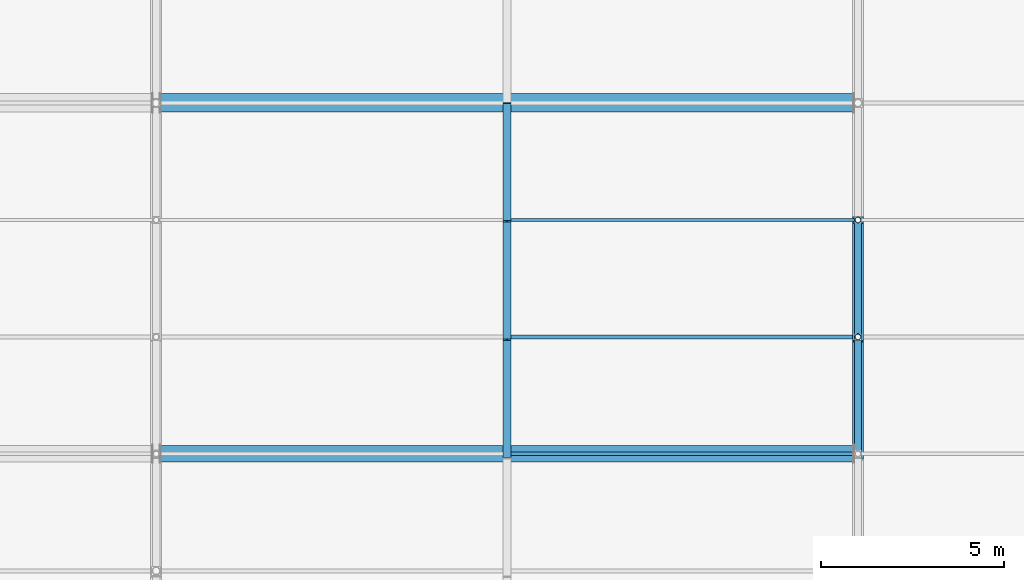
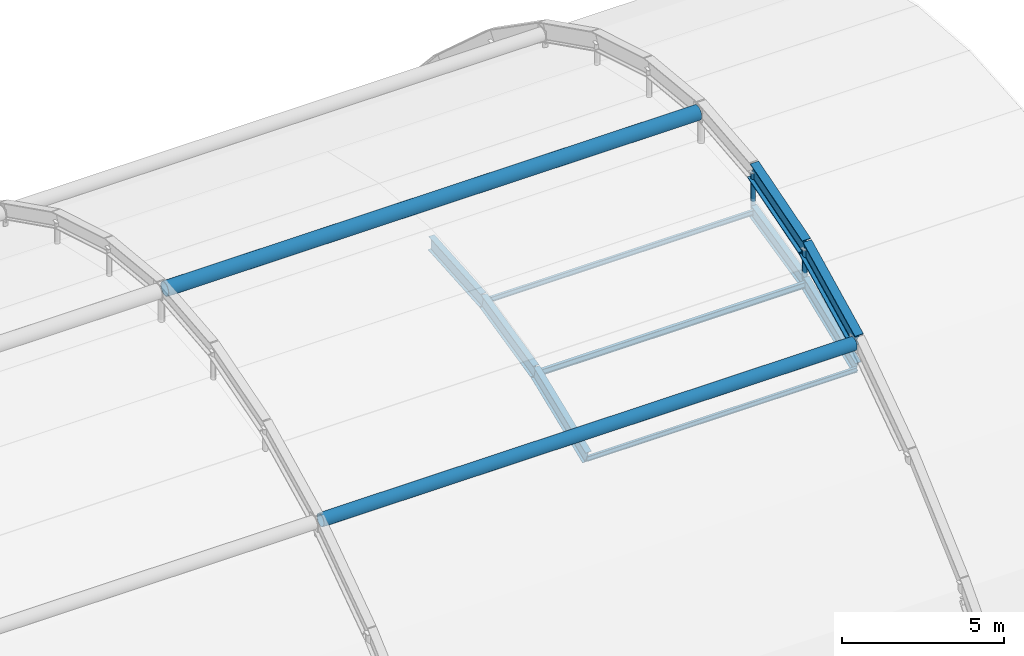
# One storey, part 64 of 126: 7 beams, 7 members.
"""IFC4 building model written with IfcOpenShell, lengths in metres."""

from ifc_helpers import new_model, si_unit, direction, frame, origin, origin_2d, place, context, subcontext, project, spatial, hollow_circle, i_section, extrude, material, material_profile, profile_set, type_object, element, save


model = new_model("IFC4")

# Units and contexts
model_context = context("Model", 3, precision=1e-05, world=origin(), true_north=direction((0.0, 1.0)))
body_context = subcontext(model_context, "Body", "Model", "MODEL_VIEW")
ifc_project = project(units=[si_unit("LENGTHUNIT", "METRE"), si_unit("AREAUNIT", "SQUARE_METRE"), si_unit("VOLUMEUNIT", "CUBIC_METRE"), si_unit("PLANEANGLEUNIT", "RADIAN"), si_unit("MASSUNIT", "GRAM", prefix="KILO")], contexts=[model_context])

# Site, building, storey
site_placement = place(None, origin())
site = spatial("IfcSite", under=ifc_project, at=site_placement, CompositionType="ELEMENT")
building_placement = place(site_placement, origin())
building = spatial("IfcBuilding", under=site, at=building_placement, Name="Coralgate Yard Interchange", CompositionType="ELEMENT")
storey_placement = place(building_placement, frame((0.0, 0.0, 10.5)))
storey = spatial("IfcBuildingStorey", under=building, at=storey_placement, Name="L02", CompositionType="ELEMENT", Elevation=10.5)

# Beams
ifc_material_1 = material(Name="Yellow-ochre weather-coated structural steel S355J2", Category="steel")
ifc_material_profile_1 = material_profile(ifc_material_1, i_section(OverallWidth=0.300048828125, OverallDepth=0.64990234375, WebThickness=0.01611328125, FlangeThickness=0.031005859375, FilletRadius=0.027099609375, at=origin_2d()), Name="HEB 650")
ifc_profile_set_1 = profile_set([ifc_material_profile_1], Name="Yellow-ochre weather-coated structural steel S355J2")
beam_type_1 = type_object("IfcBeamType", Name="BM-AR-1", PredefinedType="BEAM", material=ifc_profile_set_1)
beam_1_placement = place(storey_placement, frame((124.800048828125, 48.0, 10.324951171875), z_axis=(0.0, 0.894740986573, 0.446585453129), x_axis=(-1.0, 0.0, 0.0)))
element("IfcBeam", 1, at=beam_1_placement, inside=storey, type_object=beam_type_1, Name="Yellow-ochre overarching steel arch AR-5 chord 5", PredefinedType="BEAM", context=body_context, shape_type="SweptSolid", body=[
    extrude(i_section(OverallWidth=0.300048828125, OverallDepth=0.64990234375, WebThickness=0.01611328125, FlangeThickness=0.031005859375, FilletRadius=0.027099609375, at=origin_2d()), origin(), (0.0, 0.0, 1.0), 3.576416015625),
])
beam_2_placement = place(storey_placement, frame((124.800048828125, 51.199951171875, 11.922119140625), z_axis=(0.0, 0.957948903279, 0.286938841403), x_axis=(-1.0, 0.0, 0.0)))
element("IfcBeam", 2, at=beam_2_placement, inside=storey, type_object=beam_type_1, Name="Yellow-ochre overarching steel arch AR-5 chord 6", PredefinedType="BEAM", context=body_context, shape_type="SweptSolid", body=[
    extrude(i_section(OverallWidth=0.300048828125, OverallDepth=0.64990234375, WebThickness=0.01611328125, FlangeThickness=0.031005859375, FilletRadius=0.027099609375, at=origin_2d()), origin(), (0.0, 0.0, 1.0), 3.34033203125),
])
ifc_material_2 = material(Name="Weather-coated structural steel S355J2", Category="steel")
ifc_material_profile_2 = material_profile(ifc_material_2, i_section(OverallWidth=0.209228515625, OverallDepth=0.533203125, WebThickness=0.010009765625, FlangeThickness=0.015625, FilletRadius=0.0126953125, at=origin_2d()), Name="UB 533x210x92")
ifc_profile_set_2 = profile_set([ifc_material_profile_2], Name="Weather-coated structural steel S355J2")
beam_type_2 = type_object("IfcBeamType", Name="BM-VR-1", PredefinedType="BEAM", material=ifc_profile_set_2)
beam_3_placement = place(storey_placement, frame((115.199951171875, 48.0, 9.2958984375), z_axis=(0.0, 0.927713244188, 0.373293633161), x_axis=(-1.0, 0.0, 0.0)))
element("IfcBeam", 3, at=beam_3_placement, inside=storey, type_object=beam_type_2, Name="Barrel-vault gridshell rib 9 seg 4", PredefinedType="BEAM", context=body_context, shape_type="SweptSolid", body=[
    extrude(i_section(OverallWidth=0.209228515625, OverallDepth=0.533203125, WebThickness=0.010009765625, FlangeThickness=0.015625, FilletRadius=0.0126953125, at=origin_2d()), origin(), (0.0, 0.0, 1.0), 3.44921875),
])
beam_4_placement = place(storey_placement, frame((115.199951171875, 51.199951171875, 10.58349609375), z_axis=(0.0, 0.974597563071, 0.223963367664), x_axis=(-1.0, 0.0, 0.0)))
element("IfcBeam", 4, at=beam_4_placement, inside=storey, type_object=beam_type_2, Name="Barrel-vault gridshell rib 9 seg 5", PredefinedType="BEAM", context=body_context, shape_type="SweptSolid", body=[
    extrude(i_section(OverallWidth=0.209228515625, OverallDepth=0.533203125, WebThickness=0.010009765625, FlangeThickness=0.015625, FilletRadius=0.0126953125, at=origin_2d()), origin(), (0.0, 0.0, 1.0), 3.283447265625),
])
beam_5_placement = place(storey_placement, frame((115.199951171875, 54.39990234375, 11.31884765625), z_axis=(0.0, 0.997211212266, 0.074631080198), x_axis=(-1.0, 0.0, 0.0)))
element("IfcBeam", 5, at=beam_5_placement, inside=storey, type_object=beam_type_2, Name="Barrel-vault gridshell rib 9 seg 6", PredefinedType="BEAM", context=body_context, shape_type="SweptSolid", body=[
    extrude(i_section(OverallWidth=0.209228515625, OverallDepth=0.533203125, WebThickness=0.010009765625, FlangeThickness=0.015625, FilletRadius=0.0126953125, at=origin_2d()), origin(), (0.0, 0.0, 1.0), 3.209228515625),
])
ifc_material_profile_3 = material_profile(ifc_material_2, i_section(OverallWidth=0.199951171875, OverallDepth=0.5, WebThickness=0.01025390625, FlangeThickness=0.01611328125, FilletRadius=0.02099609375, at=origin_2d()), Name="IPE 500")
ifc_profile_set_3 = profile_set([ifc_material_profile_3], Name="Weather-coated structural steel S355J2")
beam_type_3 = type_object("IfcBeamType", Name="BM-VR-2", PredefinedType="BEAM", material=ifc_profile_set_3)
beam_6_placement = place(storey_placement, frame((124.800048828125, 48.0, 9.3125), z_axis=(0.0, 0.927713244188, 0.373293633161), x_axis=(-1.0, 0.0, 0.0)))
element("IfcBeam", 6, at=beam_6_placement, inside=storey, type_object=beam_type_3, Name="Barrel-vault gridshell rib 10 seg 4", PredefinedType="BEAM", context=body_context, shape_type="SweptSolid", body=[
    extrude(i_section(OverallWidth=0.199951171875, OverallDepth=0.5, WebThickness=0.01025390625, FlangeThickness=0.01611328125, FilletRadius=0.02099609375, at=origin_2d()), origin(), (0.0, 0.0, 1.0), 3.44921875),
])
beam_7_placement = place(storey_placement, frame((124.800048828125, 51.199951171875, 10.60009765625), z_axis=(0.0, 0.974613791, 0.22389273859), x_axis=(-1.0, 0.0, 0.0)))
element("IfcBeam", 7, at=beam_7_placement, inside=storey, type_object=beam_type_3, Name="Barrel-vault gridshell rib 10 seg 5", PredefinedType="BEAM", context=body_context, shape_type="SweptSolid", body=[
    extrude(i_section(OverallWidth=0.199951171875, OverallDepth=0.5, WebThickness=0.01025390625, FlangeThickness=0.01611328125, FilletRadius=0.02099609375, at=origin_2d()), origin(), (0.0, 0.0, 1.0), 3.283203125),
])

# Members
ifc_material_profile_4 = material_profile(ifc_material_1, hollow_circle(Radius=0.25390625, WallThickness=0.02001953125, at=origin_2d()), Name="CHS 508x20")
ifc_profile_set_4 = profile_set([ifc_material_profile_4], Name="Yellow-ochre weather-coated structural steel S355J2")
member_type_1 = type_object("IfcMemberType", Name="MB-GC-6", PredefinedType="CHORD", material=ifc_profile_set_4)
member_1_placement = place(storey_placement, frame((105.719970703125, 57.60009765625, 13.1201171875), z_axis=(1.0, 0.0, 0.0), x_axis=(0.0, 1.0, 0.0)))
element("IfcMember", 8, at=member_1_placement, inside=storey, type_object=member_type_1, Name="Arch longitudinal tie strut 4-C", PredefinedType="CHORD", context=body_context, shape_type="SweptSolid", body=[
    extrude(hollow_circle(Radius=0.25390625, WallThickness=0.02001953125, at=origin_2d()), origin(), (0.0, 0.0, 1.0), 18.9599609375),
])
ifc_material_profile_5 = material_profile(ifc_material_1, hollow_circle(Radius=0.228515625, WallThickness=0.01611328125, at=origin_2d()), Name="CHS 457x16")
ifc_profile_set_5 = profile_set([ifc_material_profile_5], Name="Yellow-ochre weather-coated structural steel S355J2")
member_type_2 = type_object("IfcMemberType", Name="MB-GC-7", PredefinedType="CHORD", material=ifc_profile_set_5)
member_2_placement = place(storey_placement, frame((105.719970703125, 48.0, 10.25), z_axis=(1.0, 0.0, 0.0), x_axis=(0.0, 1.0, 0.0)))
element("IfcMember", 9, at=member_2_placement, inside=storey, type_object=member_type_2, Name="Arch longitudinal tie strut 4-S", PredefinedType="CHORD", context=body_context, shape_type="SweptSolid", body=[
    extrude(hollow_circle(Radius=0.228515625, WallThickness=0.01611328125, at=origin_2d()), origin(), (0.0, 0.0, 1.0), 18.9599609375),
])
ifc_material_profile_6 = material_profile(ifc_material_1, hollow_circle(Radius=0.084228515625, WallThickness=0.008056640625, at=origin_2d()), Name="CHS 168.3x8")
ifc_profile_set_6 = profile_set([ifc_material_profile_6], Name="Yellow-ochre weather-coated structural steel S355J2")
member_type_3 = type_object("IfcMemberType", Name="MB-HG-2", PredefinedType="STRUT", material=ifc_profile_set_6)
member_3_placement = place(storey_placement, frame((124.800048828125, 51.199951171875, 10.7001953125), z_axis=(0.0, 0.0, 1.0), x_axis=(1.0, 0.0, 0.0)))
element("IfcMember", 10, at=member_3_placement, inside=storey, type_object=member_type_3, Name="Arch AR-5 steel suspension hanger 4", PredefinedType="STRUT", context=body_context, shape_type="SweptSolid", body=[
    extrude(hollow_circle(Radius=0.084228515625, WallThickness=0.008056640625, at=origin_2d()), origin(), (0.0, 0.0, 1.0), 1.1220703125),
])
member_4_placement = place(storey_placement, frame((124.800048828125, 54.39990234375, 11.435302734375), z_axis=(0.0, 0.0, 1.0), x_axis=(1.0, 0.0, 0.0)))
element("IfcMember", 11, at=member_4_placement, inside=storey, type_object=member_type_3, Name="Arch AR-5 steel suspension hanger 5", PredefinedType="STRUT", context=body_context, shape_type="SweptSolid", body=[
    extrude(hollow_circle(Radius=0.084228515625, WallThickness=0.008056640625, at=origin_2d()), origin(), (0.0, 0.0, 1.0), 1.34521484375),
])
ifc_material_profile_7 = material_profile(ifc_material_2, i_section(OverallWidth=0.110107421875, OverallDepth=0.219970703125, WebThickness=0.005859375, FlangeThickness=0.00927734375, FilletRadius=0.011962890625, at=origin_2d()), Name="IPE 220")
ifc_profile_set_7 = profile_set([ifc_material_profile_7], Name="Weather-coated structural steel S355J2")
member_type_4 = type_object("IfcMemberType", Name="MB-PR-1", PredefinedType="PURLIN", material=ifc_profile_set_7)
member_5_placement = place(storey_placement, frame((115.201904296875, 51.199951171875, 10.489990234375), z_axis=(1.0, 0.0, 0.0), x_axis=(0.0, 1.0, 0.0)))
element("IfcMember", 12, at=member_5_placement, inside=storey, type_object=member_type_4, Name="Barrel-vault gridshell purlin 9-5", PredefinedType="PURLIN", context=body_context, shape_type="SweptSolid", body=[
    extrude(i_section(OverallWidth=0.110107421875, OverallDepth=0.219970703125, WebThickness=0.005859375, FlangeThickness=0.00927734375, FilletRadius=0.011962890625, at=origin_2d()), origin(), (0.0, 0.0, 1.0), 9.59619140625),
])
ifc_material_3 = material(Name="Off-white architectural structural steel S355J2", Category="steel")
ifc_material_profile_8 = material_profile(ifc_material_3, i_section(OverallWidth=0.091064453125, OverallDepth=0.179931640625, WebThickness=0.00537109375, FlangeThickness=0.008056640625, FilletRadius=0.009033203125, at=origin_2d()), Name="IPE 180")
ifc_profile_set_8 = profile_set([ifc_material_profile_8], Name="Off-white architectural structural steel S355J2")
member_type_5 = type_object("IfcMemberType", Name="MB-PR-2", PredefinedType="PURLIN", material=ifc_profile_set_8)
for number, where, z_axis, x_axis, name in (
    (13, (115.201904296875, 48.0, 9.242431640625), (1.0, 0.0, 0.0), (0.0, 1.0, 0.0), "Barrel-vault gridshell purlin 9-4"),
    (14, (115.201904296875, 54.39990234375, 11.265380859375), (1.0, 0.0, 0.0), (0.0, 1.0, 0.0), "Barrel-vault gridshell purlin 9-6"),
):
    element("IfcMember", number, at=place(storey_placement, frame(where, z_axis=z_axis, x_axis=x_axis)), inside=storey, type_object=member_type_5, Name=name, PredefinedType="PURLIN", context=body_context, shape_type="SweptSolid", body=[
        extrude(i_section(OverallWidth=0.091064453125, OverallDepth=0.179931640625, WebThickness=0.00537109375, FlangeThickness=0.008056640625, FilletRadius=0.009033203125, at=origin_2d()), origin(), (0.0, 0.0, 1.0), 9.59619140625),
    ])

save(model, "model.ifc")
